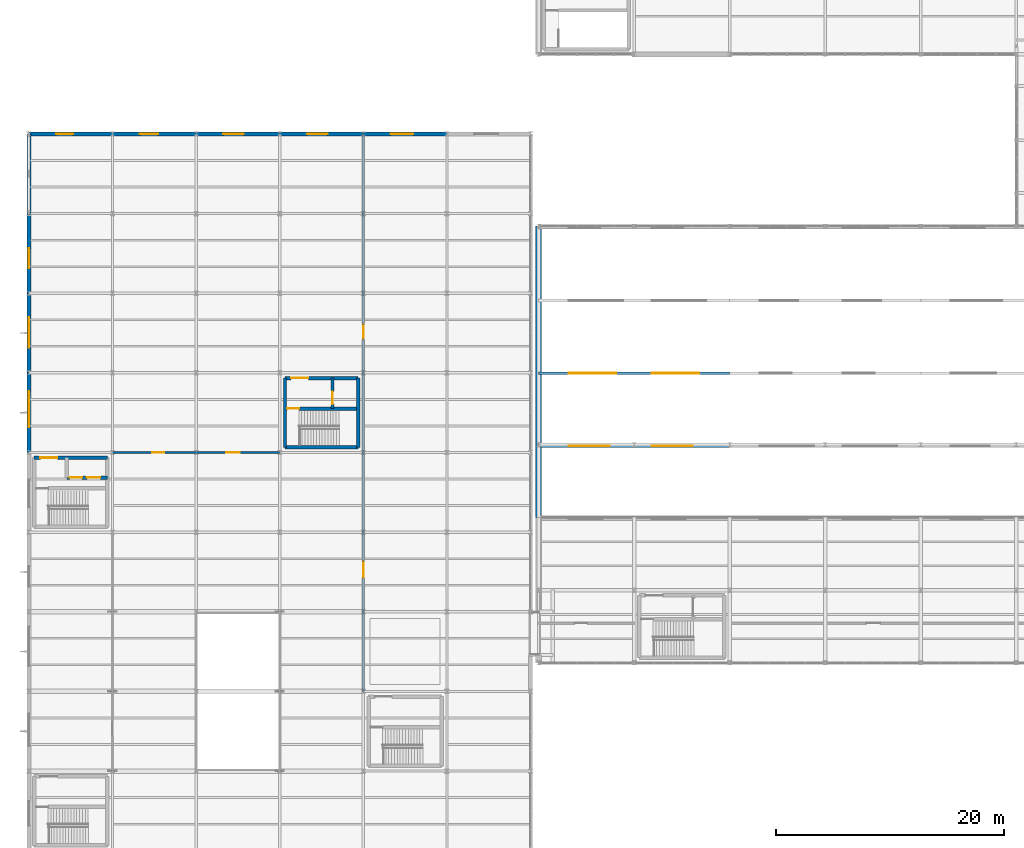
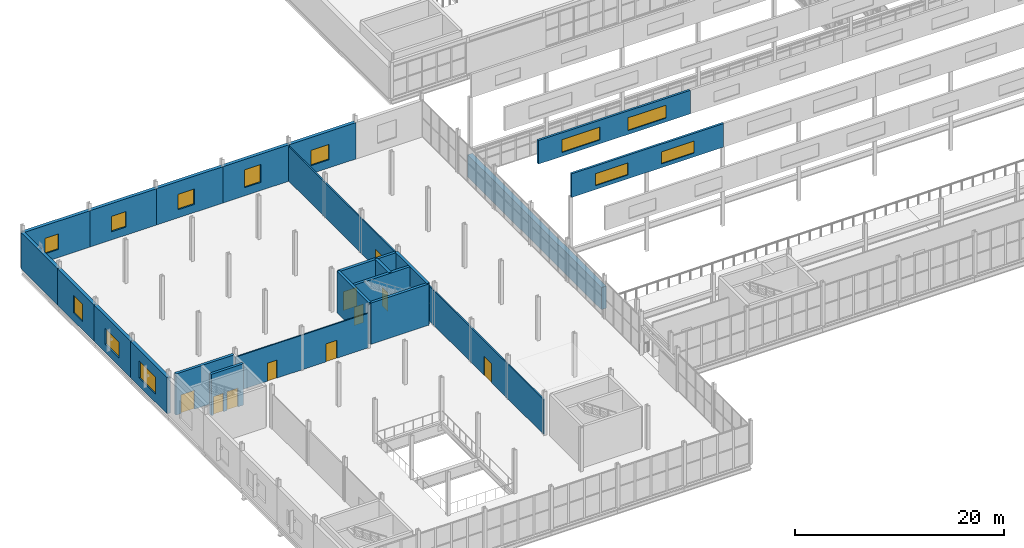
# One storey, part 198 of 218: 22 walls, 12 windows, 10 doors, 22 openings.
"""IFC4 building model written with IfcOpenShell, lengths in metres."""

from ifc_helpers import new_model, si_unit, direction, frame, frame_2d, origin, place, context, subcontext, project, spatial, rectangle, extrude, material, layer, layer_set, type_object, element, fill, save


model = new_model("IFC4")

# Units and contexts
model_context = context("Model", 3, precision=1e-05, world=origin(), true_north=direction((0.0, 1.0)))
body_context = subcontext(model_context, "Body", "Model", "MODEL_VIEW")
ifc_project = project(units=[si_unit("LENGTHUNIT", "METRE"), si_unit("AREAUNIT", "SQUARE_METRE"), si_unit("VOLUMEUNIT", "CUBIC_METRE"), si_unit("PLANEANGLEUNIT", "RADIAN"), si_unit("MASSUNIT", "GRAM", prefix="KILO")], contexts=[model_context])

# Site, building, storey
site_placement = place(None, origin())
site = spatial("IfcSite", under=ifc_project, at=site_placement, CompositionType="ELEMENT")
building_placement = place(site_placement, origin())
building = spatial("IfcBuilding", under=site, at=building_placement, Name="Kazenagashi Tramway Depot", CompositionType="ELEMENT")
storey_placement = place(building_placement, frame((0.0, 0.0, 6.0)))
storey = spatial("IfcBuildingStorey", under=building, at=storey_placement, Name="L02", CompositionType="ELEMENT", Elevation=6.0)

# Wall, opening, window
ifc_material_1 = material(Name="Clay Brick Masonry JIS R 1250 Class 1 (20 MPa)", Category="masonry")
ifc_layer_1 = layer(ifc_material_1, 0.36)
ifc_layer_set_1 = layer_set([ifc_layer_1], Name="Clay Brick Masonry JIS R 1250 Class 1 (20 MPa)")
wall_type_1 = type_object("IfcWallType", Name="W-BK2", PredefinedType="SOLIDWALL", material=ifc_layer_set_1)
wall_1_placement = place(storey_placement, frame((0.0, 63.0, 0.0), z_axis=(0.0, 0.0, 1.0), x_axis=(1.0, 0.0, 0.0)))
wall_1 = element("IfcWall", 1, at=wall_1_placement, inside=storey, type_object=wall_type_1, Name="Exterior Brick Wall W-BK2 EWALL-0183", PredefinedType="SOLIDWALL", context=body_context, shape_type="SweptSolid", body=[
    extrude(rectangle(XDim=7.35, YDim=0.36, at=frame_2d((3.675, 0.0))), origin(), (0.0, 0.0, 1.0), 4.25),
])
opening_1_placement = place(wall_1_placement, frame((2.4, 0.0, 0.95)))
opening_1 = element("IfcOpeningElement", 2, at=opening_1_placement, cuts=wall_1, Name="Opening WN-03", PredefinedType="OPENING", context=body_context, shape_type="SweptSolid", body=[
    extrude(rectangle(XDim=1.5, YDim=1.8, at=frame_2d((0.75, 0.9))), frame((0.0, 0.19, 0.0), z_axis=(0.0, -1.0, 0.0), x_axis=(1.0, 0.0, 0.0)), (0.0, 0.0, 1.0), 0.38),
])
ifc_material_2 = material(Name="Anodised Aluminium and Tempered Low-E Glass", Category="aluminium")
window_type_1 = type_object("IfcWindowType", Name="WN-03", PartitioningType="SINGLE_PANEL", PredefinedType="WINDOW", material=ifc_material_2)
window_1_placement = place(opening_1_placement, origin())
window_1 = element("IfcWindow", 3, at=window_1_placement, inside=storey, type_object=window_type_1, Name="Window WN-03 WIN-0173", OverallHeight=1.8, OverallWidth=1.5, PartitioningType="SINGLE_PANEL", PredefinedType="WINDOW", context=body_context, shape_type="SweptSolid", body=[
    extrude(rectangle(XDim=1.5, YDim=1.8, at=frame_2d((0.75, 0.9))), frame((0.0, 0.03, 0.0), z_axis=(0.0, -1.0, 0.0), x_axis=(1.0, 0.0, 0.0)), (0.0, 0.0, 1.0), 0.06),
])
fill(opening_1, window_1)

wall_2_placement = place(storey_placement, frame((7.35, 63.0, 0.0), z_axis=(0.0, 0.0, 1.0), x_axis=(1.0, 0.0, 0.0)))
wall_2 = element("IfcWall", 4, at=wall_2_placement, inside=storey, type_object=wall_type_1, Name="Exterior Brick Wall W-BK2 EWALL-0186", PredefinedType="SOLIDWALL", context=body_context, shape_type="SweptSolid", body=[
    extrude(rectangle(XDim=7.35, YDim=0.36, at=frame_2d((3.675, 0.0))), origin(), (0.0, 0.0, 1.0), 4.25),
])
opening_2_placement = place(wall_2_placement, frame((2.4, 0.0, 0.95)))
opening_2 = element("IfcOpeningElement", 5, at=opening_2_placement, cuts=wall_2, Name="Opening WN-04", PredefinedType="OPENING", context=body_context, shape_type="SweptSolid", body=[
    extrude(rectangle(XDim=1.6, YDim=1.8, at=frame_2d((0.8, 0.9))), frame((0.0, 0.19, 0.0), z_axis=(0.0, -1.0, 0.0), x_axis=(1.0, 0.0, 0.0)), (0.0, 0.0, 1.0), 0.38),
])
window_type_2 = type_object("IfcWindowType", Name="WN-04", PartitioningType="SINGLE_PANEL", PredefinedType="WINDOW", material=ifc_material_2)
window_2_placement = place(opening_2_placement, origin())
window_2 = element("IfcWindow", 6, at=window_2_placement, inside=storey, type_object=window_type_2, Name="Window WN-04 WIN-0175", OverallHeight=1.8, OverallWidth=1.6, PartitioningType="SINGLE_PANEL", PredefinedType="WINDOW", context=body_context, shape_type="SweptSolid", body=[
    extrude(rectangle(XDim=1.6, YDim=1.8, at=frame_2d((0.8, 0.9))), frame((0.0, 0.03, 0.0), z_axis=(0.0, -1.0, 0.0), x_axis=(1.0, 0.0, 0.0)), (0.0, 0.0, 1.0), 0.06),
])
fill(opening_2, window_2)

wall_3_placement = place(storey_placement, frame((14.7, 63.0, 0.0), z_axis=(0.0, 0.0, 1.0), x_axis=(1.0, 0.0, 0.0)))
wall_3 = element("IfcWall", 7, at=wall_3_placement, inside=storey, type_object=wall_type_1, Name="Exterior Brick Wall W-BK2 EWALL-0189", PredefinedType="SOLIDWALL", context=body_context, shape_type="SweptSolid", body=[
    extrude(rectangle(XDim=7.35, YDim=0.36, at=frame_2d((3.675, 0.0))), origin(), (0.0, 0.0, 1.0), 4.25),
])
opening_3_placement = place(wall_3_placement, frame((2.4, 0.0, 0.95)))
opening_3 = element("IfcOpeningElement", 8, at=opening_3_placement, cuts=wall_3, Name="Opening WN-05", PredefinedType="OPENING", context=body_context, shape_type="SweptSolid", body=[
    extrude(rectangle(XDim=1.8, YDim=1.8, at=frame_2d((0.9, 0.9))), frame((0.0, 0.19, 0.0), z_axis=(0.0, -1.0, 0.0), x_axis=(1.0, 0.0, 0.0)), (0.0, 0.0, 1.0), 0.38),
])
window_type_3 = type_object("IfcWindowType", Name="WN-05", PartitioningType="SINGLE_PANEL", PredefinedType="WINDOW", material=ifc_material_2)
window_3_placement = place(opening_3_placement, origin())
window_3 = element("IfcWindow", 9, at=window_3_placement, inside=storey, type_object=window_type_3, Name="Window WN-05 WIN-0176", OverallHeight=1.8, OverallWidth=1.8, PartitioningType="SINGLE_PANEL", PredefinedType="WINDOW", context=body_context, shape_type="SweptSolid", body=[
    extrude(rectangle(XDim=1.8, YDim=1.8, at=frame_2d((0.9, 0.9))), frame((0.0, 0.03, 0.0), z_axis=(0.0, -1.0, 0.0), x_axis=(1.0, 0.0, 0.0)), (0.0, 0.0, 1.0), 0.06),
])
fill(opening_3, window_3)

wall_4_placement = place(storey_placement, frame((22.05, 63.0, 0.0), z_axis=(0.0, 0.0, 1.0), x_axis=(1.0, 0.0, 0.0)))
wall_4 = element("IfcWall", 10, at=wall_4_placement, inside=storey, type_object=wall_type_1, Name="Exterior Brick Wall W-BK2 EWALL-0192", PredefinedType="SOLIDWALL", context=body_context, shape_type="SweptSolid", body=[
    extrude(rectangle(XDim=7.35, YDim=0.36, at=frame_2d((3.675, 0.0))), origin(), (0.0, 0.0, 1.0), 4.25),
])
opening_4_placement = place(wall_4_placement, frame((2.4, 0.0, 0.95)))
opening_4 = element("IfcOpeningElement", 11, at=opening_4_placement, cuts=wall_4, Name="Opening WN-06", PredefinedType="OPENING", context=body_context, shape_type="SweptSolid", body=[
    extrude(rectangle(XDim=1.8, YDim=2.1, at=frame_2d((0.9, 1.05))), frame((0.0, 0.19, 0.0), z_axis=(0.0, -1.0, 0.0), x_axis=(1.0, 0.0, 0.0)), (0.0, 0.0, 1.0), 0.38),
])
window_type_4 = type_object("IfcWindowType", Name="WN-06", PartitioningType="SINGLE_PANEL", PredefinedType="WINDOW", material=ifc_material_2)
window_4_placement = place(opening_4_placement, origin())
window_4 = element("IfcWindow", 12, at=window_4_placement, inside=storey, type_object=window_type_4, Name="Window WN-06 WIN-0178", OverallHeight=2.1, OverallWidth=1.8, PartitioningType="SINGLE_PANEL", PredefinedType="WINDOW", context=body_context, shape_type="SweptSolid", body=[
    extrude(rectangle(XDim=1.8, YDim=2.1, at=frame_2d((0.9, 1.05))), frame((0.0, 0.03, 0.0), z_axis=(0.0, -1.0, 0.0), x_axis=(1.0, 0.0, 0.0)), (0.0, 0.0, 1.0), 0.06),
])
fill(opening_4, window_4)

wall_5_placement = place(storey_placement, frame((29.4, 63.0, 0.0), z_axis=(0.0, 0.0, 1.0), x_axis=(1.0, 0.0, 0.0)))
wall_5 = element("IfcWall", 13, at=wall_5_placement, inside=storey, type_object=wall_type_1, Name="Exterior Brick Wall W-BK2 EWALL-0195", PredefinedType="SOLIDWALL", context=body_context, shape_type="SweptSolid", body=[
    extrude(rectangle(XDim=7.35, YDim=0.36, at=frame_2d((3.675, 0.0))), origin(), (0.0, 0.0, 1.0), 4.25),
])
opening_5_placement = place(wall_5_placement, frame((2.4, 0.0, 0.95)))
opening_5 = element("IfcOpeningElement", 14, at=opening_5_placement, cuts=wall_5, Name="Opening WN-07", PredefinedType="OPENING", context=body_context, shape_type="SweptSolid", body=[
    extrude(rectangle(XDim=2.0, YDim=1.8, at=frame_2d((1.0, 0.9))), frame((0.0, 0.19, 0.0), z_axis=(0.0, -1.0, 0.0), x_axis=(1.0, 0.0, 0.0)), (0.0, 0.0, 1.0), 0.38),
])
window_type_5 = type_object("IfcWindowType", Name="WN-07", PartitioningType="SINGLE_PANEL", PredefinedType="WINDOW", material=ifc_material_2)
window_5_placement = place(opening_5_placement, origin())
window_5 = element("IfcWindow", 15, at=window_5_placement, inside=storey, type_object=window_type_5, Name="Window WN-07 WIN-0179", OverallHeight=1.8, OverallWidth=2.0, PartitioningType="SINGLE_PANEL", PredefinedType="WINDOW", context=body_context, shape_type="SweptSolid", body=[
    extrude(rectangle(XDim=2.0, YDim=1.8, at=frame_2d((1.0, 0.9))), frame((0.0, 0.03, 0.0), z_axis=(0.0, -1.0, 0.0), x_axis=(1.0, 0.0, 0.0)), (0.0, 0.0, 1.0), 0.06),
])
fill(opening_5, window_5)

wall_6_placement = place(storey_placement, frame((0.0, 35.0, 0.0), z_axis=(0.0, 0.0, 1.0), x_axis=(0.0, 1.0, 0.0)))
wall_6 = element("IfcWall", 16, at=wall_6_placement, inside=storey, type_object=wall_type_1, Name="Exterior Brick Wall W-BK2 EWALL-0225", PredefinedType="SOLIDWALL", context=body_context, shape_type="SweptSolid", body=[
    extrude(rectangle(XDim=7.0, YDim=0.36, at=frame_2d((3.5, 0.0))), origin(), (0.0, 0.0, 1.0), 4.25),
])
opening_6_placement = place(wall_6_placement, frame((2.2, 0.0, 0.95)))
opening_6 = element("IfcOpeningElement", 17, at=opening_6_placement, cuts=wall_6, Name="Opening WN-15", PredefinedType="OPENING", context=body_context, shape_type="SweptSolid", body=[
    extrude(rectangle(XDim=3.2, YDim=2.0, at=frame_2d((1.6, 1.0))), frame((0.0, 0.19, 0.0), z_axis=(0.0, -1.0, 0.0), x_axis=(1.0, 0.0, 0.0)), (0.0, 0.0, 1.0), 0.38),
])
window_type_6 = type_object("IfcWindowType", Name="WN-15", PartitioningType="SINGLE_PANEL", PredefinedType="WINDOW", material=ifc_material_2)
window_6_placement = place(opening_6_placement, origin())
window_6 = element("IfcWindow", 18, at=window_6_placement, inside=storey, type_object=window_type_6, Name="Window WN-15 WIN-0207", OverallHeight=2.0, OverallWidth=3.2, PartitioningType="SINGLE_PANEL", PredefinedType="WINDOW", context=body_context, shape_type="SweptSolid", body=[
    extrude(rectangle(XDim=3.2, YDim=2.0, at=frame_2d((1.6, 1.0))), frame((0.0, 0.03, 0.0), z_axis=(0.0, -1.0, 0.0), x_axis=(1.0, 0.0, 0.0)), (0.0, 0.0, 1.0), 0.06),
])
fill(opening_6, window_6)

wall_7_placement = place(storey_placement, frame((0.0, 42.0, 0.0), z_axis=(0.0, 0.0, 1.0), x_axis=(0.0, 1.0, 0.0)))
wall_7 = element("IfcWall", 19, at=wall_7_placement, inside=storey, type_object=wall_type_1, Name="Exterior Brick Wall W-BK2 EWALL-0230", PredefinedType="SOLIDWALL", context=body_context, shape_type="SweptSolid", body=[
    extrude(rectangle(XDim=7.0, YDim=0.36, at=frame_2d((3.5, 0.0))), origin(), (0.0, 0.0, 1.0), 4.25),
])
opening_7_placement = place(wall_7_placement, frame((2.2, 0.0, 0.95)))
opening_7 = element("IfcOpeningElement", 20, at=opening_7_placement, cuts=wall_7, Name="Opening WN-20", PredefinedType="OPENING", context=body_context, shape_type="SweptSolid", body=[
    extrude(rectangle(XDim=2.7, YDim=1.85, at=frame_2d((1.35, 0.925))), frame((0.0, 0.19, 0.0), z_axis=(0.0, -1.0, 0.0), x_axis=(1.0, 0.0, 0.0)), (0.0, 0.0, 1.0), 0.38),
])
window_type_7 = type_object("IfcWindowType", Name="WN-20", PartitioningType="SINGLE_PANEL", PredefinedType="WINDOW", material=ifc_material_2)
window_7_placement = place(opening_7_placement, origin())
window_7 = element("IfcWindow", 21, at=window_7_placement, inside=storey, type_object=window_type_7, Name="Window WN-20 WIN-0212", OverallHeight=1.85, OverallWidth=2.7, PartitioningType="SINGLE_PANEL", PredefinedType="WINDOW", context=body_context, shape_type="SweptSolid", body=[
    extrude(rectangle(XDim=2.7, YDim=1.85, at=frame_2d((1.35, 0.925))), frame((0.0, 0.03, 0.0), z_axis=(0.0, -1.0, 0.0), x_axis=(1.0, 0.0, 0.0)), (0.0, 0.0, 1.0), 0.06),
])
fill(opening_7, window_7)

wall_8_placement = place(storey_placement, frame((0.0, 49.0, 0.0), z_axis=(0.0, 0.0, 1.0), x_axis=(0.0, 1.0, 0.0)))
wall_8 = element("IfcWall", 22, at=wall_8_placement, inside=storey, type_object=wall_type_1, Name="Exterior Brick Wall W-BK2 EWALL-0234", PredefinedType="SOLIDWALL", context=body_context, shape_type="SweptSolid", body=[
    extrude(rectangle(XDim=7.0, YDim=0.36, at=frame_2d((3.5, 0.0))), origin(), (0.0, 0.0, 1.0), 4.25),
])
opening_8_placement = place(wall_8_placement, frame((2.2, 0.0, 0.95)))
opening_8 = element("IfcOpeningElement", 23, at=opening_8_placement, cuts=wall_8, Name="Opening WN-24", PredefinedType="OPENING", context=body_context, shape_type="SweptSolid", body=[
    extrude(rectangle(XDim=1.75, YDim=2.05, at=frame_2d((0.875, 1.025))), frame((0.0, 0.19, 0.0), z_axis=(0.0, -1.0, 0.0), x_axis=(1.0, 0.0, 0.0)), (0.0, 0.0, 1.0), 0.38),
])
window_type_8 = type_object("IfcWindowType", Name="WN-24", PartitioningType="SINGLE_PANEL", PredefinedType="WINDOW", material=ifc_material_2)
window_8_placement = place(opening_8_placement, origin())
window_8 = element("IfcWindow", 24, at=window_8_placement, inside=storey, type_object=window_type_8, Name="Window WN-24 WIN-0216", OverallHeight=2.05, OverallWidth=1.75, PartitioningType="SINGLE_PANEL", PredefinedType="WINDOW", context=body_context, shape_type="SweptSolid", body=[
    extrude(rectangle(XDim=1.75, YDim=2.05, at=frame_2d((0.875, 1.025))), frame((0.0, 0.03, 0.0), z_axis=(0.0, -1.0, 0.0), x_axis=(1.0, 0.0, 0.0)), (0.0, 0.0, 1.0), 0.06),
])
fill(opening_8, window_8)

# Walls
wall_9_placement = place(storey_placement, frame((0.0, 56.0, 0.0), z_axis=(0.0, 0.0, 1.0), x_axis=(0.0, 1.0, 0.0)))
element("IfcWall", 25, at=wall_9_placement, inside=storey, type_object=wall_type_1, Name="Exterior Brick Wall W-BK2 EWALL-0237", PredefinedType="SOLIDWALL", context=body_context, shape_type="SweptSolid", body=[
    extrude(rectangle(XDim=7.0, YDim=0.36, at=frame_2d((3.5, 0.0))), origin(), (0.0, 0.0, 1.0), 4.25),
])
ifc_material_3 = material(Name="Clinker Brick Masonry JIS R 1250 Class 1 (24 MPa)", Category="masonry")
ifc_layer_2 = layer(ifc_material_3, 0.54)
ifc_layer_set_2 = layer_set([ifc_layer_2], Name="Clinker Brick Masonry JIS R 1250 Class 1 (24 MPa)")
wall_type_2 = type_object("IfcWallType", Name="W-BK4", PredefinedType="SOLIDWALL", material=ifc_layer_set_2)
wall_10_placement = place(storey_placement, frame((44.8, 29.3, -0.02), z_axis=(0.0, 0.0, 1.0), x_axis=(0.0, 1.0, 0.0)))
element("IfcWall", 26, at=wall_10_placement, inside=storey, type_object=wall_type_2, Name="Exterior Brick Wall W-BK4 EWALL-0072", PredefinedType="SOLIDWALL", context=body_context, shape_type="SweptSolid", body=[
    extrude(rectangle(XDim=25.6, YDim=0.54, at=frame_2d((12.8, 0.0))), origin(), (0.0, 0.0, 1.0), 2.6),
])

# Wall, openings, windows
ifc_material_4 = material(Name="Galvanised Steel Sheet Insulated Monitor Wall", Category="steel")
ifc_layer_3 = layer(ifc_material_4, 0.24)
ifc_layer_set_3 = layer_set([ifc_layer_3], Name="Galvanised Steel Sheet Insulated Monitor Wall")
wall_type_3 = type_object("IfcWallType", Name="W-MN1", PredefinedType="SOLIDWALL", material=ifc_layer_set_3)
wall_11_placement = place(storey_placement, frame((44.8, 35.56, 9.3), z_axis=(0.0, 0.0, 1.0), x_axis=(1.0, 0.0, 0.0)))
wall_11 = element("IfcWall", 27, at=wall_11_placement, inside=storey, type_object=wall_type_3, Name="Exterior Brick Wall W-MN1 EWALL-0131", PredefinedType="SOLIDWALL", context=body_context, shape_type="SweptSolid", body=[
    extrude(rectangle(XDim=16.8, YDim=0.24, at=frame_2d((8.4, 0.0))), origin(), (0.0, 0.0, 1.0), 2.75),
])
opening_9_placement = place(wall_11_placement, frame((2.64, 0.0, 0.45)))
opening_9 = element("IfcOpeningElement", 28, at=opening_9_placement, cuts=wall_11, Name="Opening SK-02", PredefinedType="OPENING", context=body_context, shape_type="SweptSolid", body=[
    extrude(rectangle(XDim=3.6, YDim=1.4, at=frame_2d((1.8, 0.7))), frame((0.0, 0.13, 0.0), z_axis=(0.0, -1.0, 0.0), x_axis=(1.0, 0.0, 0.0)), (0.0, 0.0, 1.0), 0.26),
])
opening_10_placement = place(wall_11_placement, frame((9.94, 0.0, 0.45)))
opening_10 = element("IfcOpeningElement", 29, at=opening_10_placement, cuts=wall_11, Name="Opening SK-02", PredefinedType="OPENING", context=body_context, shape_type="SweptSolid", body=[
    extrude(rectangle(XDim=3.6, YDim=1.4, at=frame_2d((1.8, 0.7))), frame((0.0, 0.13, 0.0), z_axis=(0.0, -1.0, 0.0), x_axis=(1.0, 0.0, 0.0)), (0.0, 0.0, 1.0), 0.26),
])
ifc_material_5 = material(Name="Wired Fire-Rated Glass and Aluminium Frame", Category="aluminium")
window_type_9 = type_object("IfcWindowType", Name="SK-02", PartitioningType="SINGLE_PANEL", PredefinedType="SKYLIGHT", material=ifc_material_5)
window_9_placement = place(opening_9_placement, origin())
window_9 = element("IfcWindow", 30, at=window_9_placement, inside=storey, type_object=window_type_9, Name="Window SK-02 WIN-0106", OverallHeight=1.4, OverallWidth=3.6, PartitioningType="SINGLE_PANEL", PredefinedType="SKYLIGHT", context=body_context, shape_type="SweptSolid", body=[
    extrude(rectangle(XDim=3.6, YDim=1.4, at=frame_2d((1.8, 0.7))), frame((0.0, 0.03, 0.0), z_axis=(0.0, -1.0, 0.0), x_axis=(1.0, 0.0, 0.0)), (0.0, 0.0, 1.0), 0.06),
])
fill(opening_9, window_9)
window_10_placement = place(opening_10_placement, origin())
window_10 = element("IfcWindow", 31, at=window_10_placement, inside=storey, type_object=window_type_9, Name="Window SK-02 WIN-0107", OverallHeight=1.4, OverallWidth=3.6, PartitioningType="SINGLE_PANEL", PredefinedType="SKYLIGHT", context=body_context, shape_type="SweptSolid", body=[
    extrude(rectangle(XDim=3.6, YDim=1.4, at=frame_2d((1.8, 0.7))), frame((0.0, 0.03, 0.0), z_axis=(0.0, -1.0, 0.0), x_axis=(1.0, 0.0, 0.0)), (0.0, 0.0, 1.0), 0.06),
])
fill(opening_10, window_10)

wall_12_placement = place(storey_placement, frame((44.8, 41.96, 9.3), z_axis=(0.0, 0.0, 1.0), x_axis=(1.0, 0.0, 0.0)))
wall_12 = element("IfcWall", 32, at=wall_12_placement, inside=storey, type_object=wall_type_3, Name="Exterior Brick Wall W-MN1 EWALL-0137", PredefinedType="SOLIDWALL", context=body_context, shape_type="SweptSolid", body=[
    extrude(rectangle(XDim=16.8, YDim=0.24, at=frame_2d((8.4, 0.0))), origin(), (0.0, 0.0, 1.0), 2.75),
])
opening_11_placement = place(wall_12_placement, frame((2.64, 0.0, 0.45)))
opening_11 = element("IfcOpeningElement", 33, at=opening_11_placement, cuts=wall_12, Name="Opening SK-03", PredefinedType="OPENING", context=body_context, shape_type="SweptSolid", body=[
    extrude(rectangle(XDim=4.2, YDim=1.5, at=frame_2d((2.1, 0.75))), frame((0.0, 0.13, 0.0), z_axis=(0.0, -1.0, 0.0), x_axis=(1.0, 0.0, 0.0)), (0.0, 0.0, 1.0), 0.26),
])
opening_12_placement = place(wall_12_placement, frame((9.94, 0.0, 0.45)))
opening_12 = element("IfcOpeningElement", 34, at=opening_12_placement, cuts=wall_12, Name="Opening SK-03", PredefinedType="OPENING", context=body_context, shape_type="SweptSolid", body=[
    extrude(rectangle(XDim=4.2, YDim=1.5, at=frame_2d((2.1, 0.75))), frame((0.0, 0.13, 0.0), z_axis=(0.0, -1.0, 0.0), x_axis=(1.0, 0.0, 0.0)), (0.0, 0.0, 1.0), 0.26),
])
window_type_10 = type_object("IfcWindowType", Name="SK-03", PartitioningType="SINGLE_PANEL", PredefinedType="SKYLIGHT", material=ifc_material_5)
window_11_placement = place(opening_11_placement, origin())
window_11 = element("IfcWindow", 35, at=window_11_placement, inside=storey, type_object=window_type_10, Name="Window SK-03 WIN-0118", OverallHeight=1.5, OverallWidth=4.2, PartitioningType="SINGLE_PANEL", PredefinedType="SKYLIGHT", context=body_context, shape_type="SweptSolid", body=[
    extrude(rectangle(XDim=4.2, YDim=1.5, at=frame_2d((2.1, 0.75))), frame((0.0, 0.03, 0.0), z_axis=(0.0, -1.0, 0.0), x_axis=(1.0, 0.0, 0.0)), (0.0, 0.0, 1.0), 0.06),
])
fill(opening_11, window_11)
window_12_placement = place(opening_12_placement, origin())
window_12 = element("IfcWindow", 36, at=window_12_placement, inside=storey, type_object=window_type_10, Name="Window SK-03 WIN-0119", OverallHeight=1.5, OverallWidth=4.2, PartitioningType="SINGLE_PANEL", PredefinedType="SKYLIGHT", context=body_context, shape_type="SweptSolid", body=[
    extrude(rectangle(XDim=4.2, YDim=1.5, at=frame_2d((2.1, 0.75))), frame((0.0, 0.03, 0.0), z_axis=(0.0, -1.0, 0.0), x_axis=(1.0, 0.0, 0.0)), (0.0, 0.0, 1.0), 0.06),
])
fill(opening_12, window_12)

# Wall, openings, doors
ifc_material_6 = material(Name="Gypsum Plasterboard Partition", Category="gypsum")
ifc_layer_4 = layer(ifc_material_6, 0.15)
ifc_layer_set_4 = layer_set([ifc_layer_4], Name="Gypsum Plasterboard Partition")
wall_type_4 = type_object("IfcWallType", Name="W-PT1", PredefinedType="PARTITIONING", material=ifc_layer_set_4)
wall_13_placement = place(storey_placement, frame((29.4, 14.0, 0.0), z_axis=(0.0, 0.0, 1.0), x_axis=(0.0, 1.0, 0.0)))
wall_13 = element("IfcWall", 37, at=wall_13_placement, inside=storey, type_object=wall_type_4, Name="Interior Partition W-PT1 IWALL-0270", PredefinedType="PARTITIONING", context=body_context, shape_type="SweptSolid", body=[
    extrude(rectangle(XDim=49.0, YDim=0.15, at=frame_2d((24.5, 0.0))), origin(), (0.0, 0.0, 1.0), 4.05),
])
opening_13_placement = place(wall_13_placement, frame((10.0, 0.0, 0.0)))
opening_13 = element("IfcOpeningElement", 38, at=opening_13_placement, cuts=wall_13, Name="Opening D-175", PredefinedType="OPENING", context=body_context, shape_type="SweptSolid", body=[
    extrude(rectangle(XDim=1.4, YDim=2.2, at=frame_2d((0.7, 1.1))), frame((0.0, 0.085, 0.0), z_axis=(0.0, -1.0, 0.0), x_axis=(1.0, 0.0, 0.0)), (0.0, 0.0, 1.0), 0.17),
])
opening_14_placement = place(wall_13_placement, frame((31.0, 0.0, 0.0)))
opening_14 = element("IfcOpeningElement", 39, at=opening_14_placement, cuts=wall_13, Name="Opening D-176", PredefinedType="OPENING", context=body_context, shape_type="SweptSolid", body=[
    extrude(rectangle(XDim=1.25, YDim=2.15, at=frame_2d((0.625, 1.075))), frame((0.0, 0.085, 0.0), z_axis=(0.0, -1.0, 0.0), x_axis=(1.0, 0.0, 0.0)), (0.0, 0.0, 1.0), 0.17),
])
ifc_material_7 = material(Name="Powder-Coated Steel Door", Category="steel")
door_type_1 = type_object("IfcDoorType", Name="DT-14", OperationType="NOTDEFINED", PredefinedType="DOOR", material=ifc_material_7)
door_1_placement = place(opening_14_placement, origin())
door_1 = element("IfcDoor", 40, at=door_1_placement, inside=storey, type_object=door_type_1, Name="Interior Door D-176", OperationType="SINGLE_SWING_LEFT", OverallHeight=2.15, OverallWidth=1.25, PredefinedType="DOOR", context=body_context, shape_type="SweptSolid", body=[
    extrude(rectangle(XDim=1.25, YDim=2.15, at=frame_2d((0.625, 1.075))), frame((0.0, 0.025, 0.0), z_axis=(0.0, -1.0, 0.0), x_axis=(1.0, 0.0, 0.0)), (0.0, 0.0, 1.0), 0.05),
])
fill(opening_14, door_1)
door_type_2 = type_object("IfcDoorType", Name="DT-16", OperationType="NOTDEFINED", PredefinedType="DOOR", material=ifc_material_7)
door_2_placement = place(opening_13_placement, origin())
door_2 = element("IfcDoor", 41, at=door_2_placement, inside=storey, type_object=door_type_2, Name="Interior Door D-175", OperationType="DOUBLE_DOOR_SINGLE_SWING", OverallHeight=2.2, OverallWidth=1.4, PredefinedType="DOOR", context=body_context, shape_type="SweptSolid", body=[
    extrude(rectangle(XDim=1.4, YDim=2.2, at=frame_2d((0.7, 1.1))), frame((0.0, 0.025, 0.0), z_axis=(0.0, -1.0, 0.0), x_axis=(1.0, 0.0, 0.0)), (0.0, 0.0, 1.0), 0.05),
])
fill(opening_13, door_2)

ifc_layer_5 = layer(ifc_material_6, 0.14)
ifc_layer_set_5 = layer_set([ifc_layer_5], Name="Gypsum Plasterboard Partition")
wall_type_5 = type_object("IfcWallType", Name="W-PT6", PredefinedType="PARTITIONING", material=ifc_layer_set_5)
wall_14_placement = place(storey_placement, frame((7.35, 35.0, 0.0), z_axis=(0.0, 0.0, 1.0), x_axis=(1.0, 0.0, 0.0)))
wall_14 = element("IfcWall", 42, at=wall_14_placement, inside=storey, type_object=wall_type_5, Name="Interior Partition W-PT6 IWALL-0271", PredefinedType="PARTITIONING", context=body_context, shape_type="SweptSolid", body=[
    extrude(rectangle(XDim=14.7, YDim=0.14, at=frame_2d((7.35, 0.0))), origin(), (0.0, 0.0, 1.0), 4.05),
])
opening_15_placement = place(wall_14_placement, frame((3.5, 0.0, 0.0)))
opening_15 = element("IfcOpeningElement", 43, at=opening_15_placement, cuts=wall_14, Name="Opening D-177", PredefinedType="OPENING", context=body_context, shape_type="SweptSolid", body=[
    extrude(rectangle(XDim=1.05, YDim=2.1, at=frame_2d((0.525, 1.05))), frame((0.0, 0.08, 0.0), z_axis=(0.0, -1.0, 0.0), x_axis=(1.0, 0.0, 0.0)), (0.0, 0.0, 1.0), 0.16),
])
opening_16_placement = place(wall_14_placement, frame((10.0, 0.0, 0.0)))
opening_16 = element("IfcOpeningElement", 44, at=opening_16_placement, cuts=wall_14, Name="Opening D-178", PredefinedType="OPENING", context=body_context, shape_type="SweptSolid", body=[
    extrude(rectangle(XDim=1.2, YDim=2.1, at=frame_2d((0.6, 1.05))), frame((0.0, 0.08, 0.0), z_axis=(0.0, -1.0, 0.0), x_axis=(1.0, 0.0, 0.0)), (0.0, 0.0, 1.0), 0.16),
])
ifc_material_8 = material(Name="Acoustic Fire-Rated Timber-Core Door", Category="wood")
door_type_3 = type_object("IfcDoorType", Name="DT-21", OperationType="NOTDEFINED", PredefinedType="DOOR", material=ifc_material_8)
door_3_placement = place(opening_15_placement, origin())
door_3 = element("IfcDoor", 45, at=door_3_placement, inside=storey, type_object=door_type_3, Name="Interior Door D-177", OperationType="SINGLE_SWING_RIGHT", OverallHeight=2.1, OverallWidth=1.05, PredefinedType="DOOR", context=body_context, shape_type="SweptSolid", body=[
    extrude(rectangle(XDim=1.05, YDim=2.1, at=frame_2d((0.525, 1.05))), frame((0.0, 0.025, 0.0), z_axis=(0.0, -1.0, 0.0), x_axis=(1.0, 0.0, 0.0)), (0.0, 0.0, 1.0), 0.05),
])
fill(opening_15, door_3)
door_type_4 = type_object("IfcDoorType", Name="DT-22", OperationType="NOTDEFINED", PredefinedType="DOOR", material=ifc_material_8)
door_4_placement = place(opening_16_placement, origin())
door_4 = element("IfcDoor", 46, at=door_4_placement, inside=storey, type_object=door_type_4, Name="Interior Door D-178", OperationType="SINGLE_SWING_LEFT", OverallHeight=2.1, OverallWidth=1.2, PredefinedType="DOOR", context=body_context, shape_type="SweptSolid", body=[
    extrude(rectangle(XDim=1.2, YDim=2.1, at=frame_2d((0.6, 1.05))), frame((0.0, 0.025, 0.0), z_axis=(0.0, -1.0, 0.0), x_axis=(1.0, 0.0, 0.0)), (0.0, 0.0, 1.0), 0.05),
])
fill(opening_16, door_4)

# Wall, opening, door
ifc_material_9 = material(Name="Concrete Fc36", Category="concrete")
ifc_layer_6 = layer(ifc_material_9, 0.3)
ifc_layer_set_6 = layer_set([ifc_layer_6], Name="Concrete Fc36")
wall_type_6 = type_object("IfcWallType", Name="W-RC1", PredefinedType="SHEAR", material=ifc_layer_set_6)
wall_15_placement = place(storey_placement, frame((0.46, 34.54, 0.0), z_axis=(0.0, 0.0, 1.0), x_axis=(1.0, 0.0, 0.0)))
wall_15 = element("IfcWall", 47, at=wall_15_placement, inside=storey, type_object=wall_type_6, Name="Core Shear Wall W-RC1 IWALL-0021", PredefinedType="SHEAR", context=body_context, shape_type="SweptSolid", body=[
    extrude(rectangle(XDim=6.43, YDim=0.3, at=frame_2d((3.215, 0.0))), origin(), (0.0, 0.0, 1.0), 4.82),
])
opening_17_placement = place(wall_15_placement, frame((0.55, 0.0, 0.0)))
opening_17 = element("IfcOpeningElement", 48, at=opening_17_placement, cuts=wall_15, Name="Opening D-054", PredefinedType="OPENING", context=body_context, shape_type="SweptSolid", body=[
    extrude(rectangle(XDim=1.5, YDim=2.2, at=frame_2d((0.75, 1.1))), frame((0.0, 0.16, 0.0), z_axis=(0.0, -1.0, 0.0), x_axis=(1.0, 0.0, 0.0)), (0.0, 0.0, 1.0), 0.32),
])
ifc_material_10 = material(Name="Galvanised Fire-Rated Steel Door", Category="steel")
door_type_5 = type_object("IfcDoorType", Name="DT-05", OperationType="NOTDEFINED", PredefinedType="DOOR", material=ifc_material_10)
door_5_placement = place(opening_17_placement, origin())
door_5 = element("IfcDoor", 49, at=door_5_placement, inside=storey, type_object=door_type_5, Name="Interior Door D-054", OperationType="DOUBLE_DOOR_SINGLE_SWING", OverallHeight=2.2, OverallWidth=1.5, PredefinedType="DOOR", context=body_context, shape_type="SweptSolid", body=[
    extrude(rectangle(XDim=1.5, YDim=2.2, at=frame_2d((0.75, 1.1))), frame((0.0, 0.025, 0.0), z_axis=(0.0, -1.0, 0.0), x_axis=(1.0, 0.0, 0.0)), (0.0, 0.0, 1.0), 0.05),
])
fill(opening_17, door_5)

# Wall, openings, doors
wall_16_placement = place(storey_placement, frame((3.34, 32.79, 0.0), z_axis=(0.0, 0.0, 1.0), x_axis=(1.0, 0.0, 0.0)))
wall_16 = element("IfcWall", 50, at=wall_16_placement, inside=storey, type_object=wall_type_6, Name="Core Shear Wall W-RC1 IWALL-0026", PredefinedType="SHEAR", context=body_context, shape_type="SweptSolid", body=[
    extrude(rectangle(XDim=3.55, YDim=0.3, at=frame_2d((1.775, 0.0))), origin(), (0.0, 0.0, 1.0), 4.82),
])
opening_18_placement = place(wall_16_placement, frame((0.25, 0.0, 0.0)))
opening_18 = element("IfcOpeningElement", 51, at=opening_18_placement, cuts=wall_16, Name="Opening LD-03", PredefinedType="OPENING", context=body_context, shape_type="SweptSolid", body=[
    extrude(rectangle(XDim=1.1, YDim=2.15, at=frame_2d((0.55, 1.075))), frame((0.0, 0.16, 0.0), z_axis=(0.0, -1.0, 0.0), x_axis=(1.0, 0.0, 0.0)), (0.0, 0.0, 1.0), 0.32),
])
opening_19_placement = place(wall_16_placement, frame((1.75, 0.0, 0.0)))
opening_19 = element("IfcOpeningElement", 52, at=opening_19_placement, cuts=wall_16, Name="Opening LD-04", PredefinedType="OPENING", context=body_context, shape_type="SweptSolid", body=[
    extrude(rectangle(XDim=1.2, YDim=2.2, at=frame_2d((0.6, 1.1))), frame((0.0, 0.16, 0.0), z_axis=(0.0, -1.0, 0.0), x_axis=(1.0, 0.0, 0.0)), (0.0, 0.0, 1.0), 0.32),
])
ifc_material_11 = material(Name="Brushed Stainless Steel Landing Door", Category="steel")
door_type_6 = type_object("IfcDoorType", Name="DT-29", OperationType="NOTDEFINED", PredefinedType="DOOR", material=ifc_material_11)
door_6_placement = place(opening_18_placement, origin())
door_6 = element("IfcDoor", 53, at=door_6_placement, inside=storey, type_object=door_type_6, Name="Lift Sliding Landing Door LD-03", OperationType="SLIDING_TO_LEFT", OverallHeight=2.15, OverallWidth=1.1, PredefinedType="DOOR", context=body_context, shape_type="SweptSolid", body=[
    extrude(rectangle(XDim=1.1, YDim=2.15, at=frame_2d((0.55, 1.075))), frame((0.0, 0.025, 0.0), z_axis=(0.0, -1.0, 0.0), x_axis=(1.0, 0.0, 0.0)), (0.0, 0.0, 1.0), 0.05),
])
fill(opening_18, door_6)
door_type_7 = type_object("IfcDoorType", Name="DT-30", OperationType="NOTDEFINED", PredefinedType="DOOR", material=ifc_material_11)
door_7_placement = place(opening_19_placement, origin())
door_7 = element("IfcDoor", 54, at=door_7_placement, inside=storey, type_object=door_type_7, Name="Lift Sliding Landing Door LD-04", OperationType="SLIDING_TO_RIGHT", OverallHeight=2.2, OverallWidth=1.2, PredefinedType="DOOR", context=body_context, shape_type="SweptSolid", body=[
    extrude(rectangle(XDim=1.2, YDim=2.2, at=frame_2d((0.6, 1.1))), frame((0.0, 0.025, 0.0), z_axis=(0.0, -1.0, 0.0), x_axis=(1.0, 0.0, 0.0)), (0.0, 0.0, 1.0), 0.05),
])
fill(opening_19, door_7)

# Wall
wall_17_placement = place(storey_placement, frame((22.51, 35.46, 0.0), z_axis=(0.0, 0.0, 1.0), x_axis=(1.0, 0.0, 0.0)))
element("IfcWall", 55, at=wall_17_placement, inside=storey, type_object=wall_type_6, Name="Core Shear Wall W-RC1 IWALL-0054", PredefinedType="SHEAR", context=body_context, shape_type="SweptSolid", body=[
    extrude(rectangle(XDim=6.43, YDim=0.3, at=frame_2d((3.215, 0.0))), origin(), (0.0, 0.0, 1.0), 4.82),
])

# Wall, opening, door
wall_18_placement = place(storey_placement, frame((22.51, 41.54, 0.0), z_axis=(0.0, 0.0, 1.0), x_axis=(1.0, 0.0, 0.0)))
wall_18 = element("IfcWall", 56, at=wall_18_placement, inside=storey, type_object=wall_type_6, Name="Core Shear Wall W-RC1 IWALL-0055", PredefinedType="SHEAR", context=body_context, shape_type="SweptSolid", body=[
    extrude(rectangle(XDim=6.43, YDim=0.3, at=frame_2d((3.215, 0.0))), origin(), (0.0, 0.0, 1.0), 4.82),
])
opening_20_placement = place(wall_18_placement, frame((0.55, 0.0, 0.0)))
opening_20 = element("IfcOpeningElement", 57, at=opening_20_placement, cuts=wall_18, Name="Opening D-064", PredefinedType="OPENING", context=body_context, shape_type="SweptSolid", body=[
    extrude(rectangle(XDim=1.5, YDim=2.2, at=frame_2d((0.75, 1.1))), frame((0.0, 0.16, 0.0), z_axis=(0.0, -1.0, 0.0), x_axis=(1.0, 0.0, 0.0)), (0.0, 0.0, 1.0), 0.32),
])
door_8_placement = place(opening_20_placement, origin())
door_8 = element("IfcDoor", 58, at=door_8_placement, inside=storey, type_object=door_type_5, Name="Interior Door D-064", OperationType="DOUBLE_DOOR_SINGLE_SWING", OverallHeight=2.2, OverallWidth=1.5, PredefinedType="DOOR", context=body_context, shape_type="SweptSolid", body=[
    extrude(rectangle(XDim=1.5, YDim=2.2, at=frame_2d((0.75, 1.1))), frame((0.0, 0.025, 0.0), z_axis=(0.0, -1.0, 0.0), x_axis=(1.0, 0.0, 0.0)), (0.0, 0.0, 1.0), 0.05),
])
fill(opening_20, door_8)

# Walls
for number, where, z_axis, x_axis, name in (
    (59, (22.51, 35.46, 0.0), (0.0, 0.0, 1.0), (0.0, 1.0, 0.0), "Core Shear Wall W-RC1 IWALL-0056"),
    (60, (28.94, 35.46, 0.0), (0.0, 0.0, 1.0), (0.0, 1.0, 0.0), "Core Shear Wall W-RC1 IWALL-0057"),
):
    element("IfcWall", number, at=place(storey_placement, frame(where, z_axis=z_axis, x_axis=x_axis)), inside=storey, type_object=wall_type_6, Name=name, PredefinedType="SHEAR", context=body_context, shape_type="SweptSolid", body=[
        extrude(rectangle(XDim=6.08, YDim=0.3, at=frame_2d((3.04, 0.0))), origin(), (0.0, 0.0, 1.0), 4.82),
    ])

# Wall, opening, door
wall_19_placement = place(storey_placement, frame((22.51, 38.85, 0.0), z_axis=(0.0, 0.0, 1.0), x_axis=(1.0, 0.0, 0.0)))
wall_19 = element("IfcWall", 61, at=wall_19_placement, inside=storey, type_object=wall_type_6, Name="Core Shear Wall W-RC1 IWALL-0058", PredefinedType="SHEAR", context=body_context, shape_type="SweptSolid", body=[
    extrude(rectangle(XDim=6.43, YDim=0.3, at=frame_2d((3.215, 0.0))), origin(), (0.0, 0.0, 1.0), 4.82),
])
opening_21_placement = place(wall_19_placement, frame((0.185, 0.0, 0.0)))
opening_21 = element("IfcOpeningElement", 62, at=opening_21_placement, cuts=wall_19, Name="Opening D-063", PredefinedType="OPENING", context=body_context, shape_type="SweptSolid", body=[
    extrude(rectangle(XDim=1.05, YDim=2.15, at=frame_2d((0.525, 1.075))), frame((0.0, 0.16, 0.0), z_axis=(0.0, -1.0, 0.0), x_axis=(1.0, 0.0, 0.0)), (0.0, 0.0, 1.0), 0.32),
])
door_type_8 = type_object("IfcDoorType", Name="DT-07", OperationType="NOTDEFINED", PredefinedType="DOOR", material=ifc_material_10)
door_9_placement = place(opening_21_placement, origin())
door_9 = element("IfcDoor", 63, at=door_9_placement, inside=storey, type_object=door_type_8, Name="Interior Door D-063", OperationType="SINGLE_SWING_RIGHT", OverallHeight=2.15, OverallWidth=1.05, PredefinedType="DOOR", context=body_context, shape_type="SweptSolid", body=[
    extrude(rectangle(XDim=1.05, YDim=2.15, at=frame_2d((0.525, 1.075))), frame((0.0, 0.025, 0.0), z_axis=(0.0, -1.0, 0.0), x_axis=(1.0, 0.0, 0.0)), (0.0, 0.0, 1.0), 0.05),
])
fill(opening_21, door_9)

wall_20_placement = place(storey_placement, frame((26.69, 38.85, 0.0), z_axis=(0.0, 0.0, 1.0), x_axis=(0.0, 1.0, 0.0)))
wall_20 = element("IfcWall", 64, at=wall_20_placement, inside=storey, type_object=wall_type_6, Name="Core Shear Wall W-RC1 IWALL-0059", PredefinedType="SHEAR", context=body_context, shape_type="SweptSolid", body=[
    extrude(rectangle(XDim=2.69, YDim=0.3, at=frame_2d((1.345, 0.0))), origin(), (0.0, 0.0, 1.0), 4.82),
])
opening_22_placement = place(wall_20_placement, frame((0.4, 0.0, 0.0)))
opening_22 = element("IfcOpeningElement", 65, at=opening_22_placement, cuts=wall_20, Name="Opening LD-12", PredefinedType="OPENING", context=body_context, shape_type="SweptSolid", body=[
    extrude(rectangle(XDim=1.1, YDim=2.15, at=frame_2d((0.55, 1.075))), frame((0.0, 0.16, 0.0), z_axis=(0.0, -1.0, 0.0), x_axis=(1.0, 0.0, 0.0)), (0.0, 0.0, 1.0), 0.32),
])
door_10_placement = place(opening_22_placement, origin())
door_10 = element("IfcDoor", 66, at=door_10_placement, inside=storey, type_object=door_type_6, Name="Lift Sliding Landing Door LD-12", OperationType="SLIDING_TO_RIGHT", OverallHeight=2.15, OverallWidth=1.1, PredefinedType="DOOR", context=body_context, shape_type="SweptSolid", body=[
    extrude(rectangle(XDim=1.1, YDim=2.15, at=frame_2d((0.55, 1.075))), frame((0.0, 0.025, 0.0), z_axis=(0.0, -1.0, 0.0), x_axis=(1.0, 0.0, 0.0)), (0.0, 0.0, 1.0), 0.05),
])
fill(opening_22, door_10)

save(model, "model.ifc")
